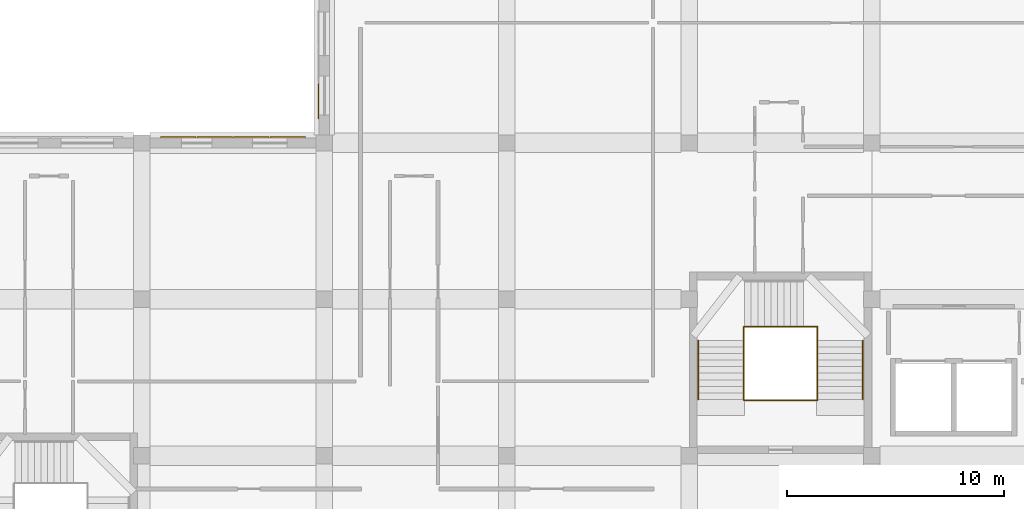
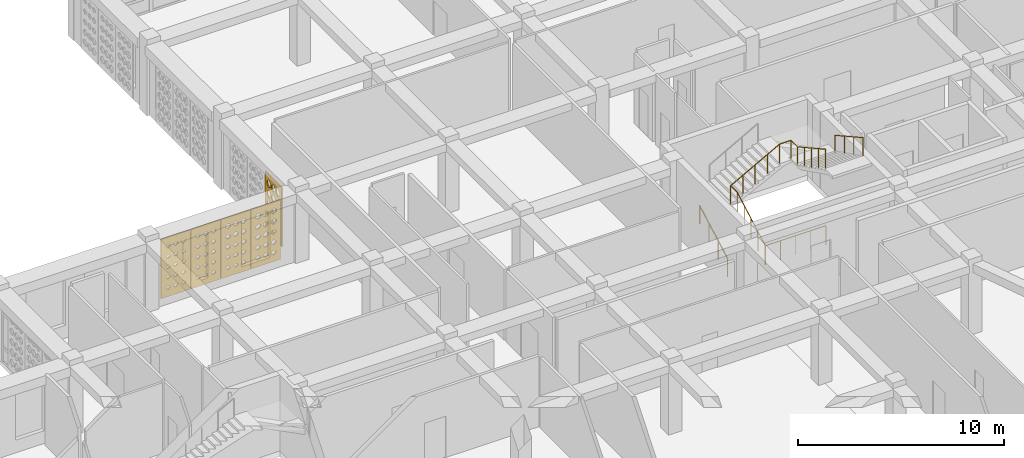
# One storey, part 97 of 111: 6 railings, 5 coverings.
"""IFC4 building model written with IfcOpenShell, lengths in metres."""

from ifc_helpers import new_model, si_unit, derived_unit, direction, frame, origin, origin_2d, place, context, subcontext, project, spatial, polyline, circle, outline, extrude, material, layer, layer_set, type_object, element, save


model = new_model("IFC4")

# Units and contexts
model_context = context("Model", 3, precision=1e-05, world=origin(), true_north=direction((0.0, 1.0)))
body_context = subcontext(model_context, "Body", "Model", "MODEL_VIEW")
ifc_project = project(units=[si_unit("LENGTHUNIT", "METRE"), si_unit("AREAUNIT", "SQUARE_METRE"), si_unit("VOLUMEUNIT", "CUBIC_METRE"), si_unit("PLANEANGLEUNIT", "RADIAN"), si_unit("MASSUNIT", "GRAM", prefix="KILO"), derived_unit("THERMALTRANSMITTANCEUNIT", [(si_unit("POWERUNIT", "WATT"), 1), (si_unit("LENGTHUNIT", "METRE"), -2), (si_unit("THERMODYNAMICTEMPERATUREUNIT", "KELVIN"), -1)])], contexts=[model_context])

# Site, building, storey
site_placement = place(None, origin())
site = spatial("IfcSite", under=ifc_project, at=site_placement, CompositionType="ELEMENT")
building_placement = place(site_placement, origin())
building = spatial("IfcBuilding", under=site, at=building_placement, Name="Veybourne Emporium", CompositionType="ELEMENT")
storey_placement = place(building_placement, frame((0.0, 0.0, 9.89990234375)))
storey = spatial("IfcBuildingStorey", under=building, at=storey_placement, Name="L02", CompositionType="ELEMENT", Elevation=9.89990234375)

# Railings
ifc_material_1 = material(Name="Brushed Stainless Steel", Category="steel")
railing_type_1 = type_object("IfcRailingType", Name="Guard_GR-01", PredefinedType="GUARDRAIL", material=ifc_material_1)
railing_1_placement = place(storey_placement, frame((52.909912109375, 74.60009765625, 0.0)))
element("IfcRailing", 1, at=railing_1_placement, inside=storey, type_object=railing_type_1, Name="L02 ST-03 stair guard 1", PredefinedType="GUARDRAIL", context=body_context, shape_type="SweptSolid", body=[
    extrude(circle(Radius=0.02392578125, at=origin_2d()), frame((0.0, 0.0, 1.1259765625), z_axis=(0.0, 0.87415354758, 0.485649642493), x_axis=(-1.0, 0.0, 0.0)), (0.0, 0.0, 1.0), 3.088623046875),
    extrude(circle(Radius=0.02392578125, at=origin_2d()), frame((0.0, 2.699951171875, 2.6259765625), z_axis=(0.0, 1.0, 0.0), x_axis=(-1.0, 0.0, 0.0)), (0.0, 0.0, 1.0), 0.639892578125),
    extrude(circle(Radius=0.02099609375, at=origin_2d()), origin(), (0.0, 0.0, 1.0), 1.101806640625),
    extrude(circle(Radius=0.02099609375, at=origin_2d()), frame((0.0, 0.675048828125, 0.375)), (0.0, 0.0, 1.0), 1.101806640625),
    extrude(circle(Radius=0.02099609375, at=origin_2d()), frame((0.0, 1.35009765625, 0.75)), (0.0, 0.0, 1.0), 1.101806640625),
    extrude(circle(Radius=0.02099609375, at=origin_2d()), frame((0.0, 2.02490234375, 1.125)), (0.0, 0.0, 1.0), 1.101806640625),
    extrude(circle(Radius=0.02099609375, at=origin_2d()), frame((0.0, 2.699951171875, 1.5)), (0.0, 0.0, 1.0), 1.101806640625),
    extrude(circle(Radius=0.02099609375, at=origin_2d()), frame((0.0, 3.33984375, 1.5)), (0.0, 0.0, 1.0), 1.101806640625),
])
railing_2_placement = place(storey_placement, frame((52.909912109375, 77.93994140625, 1.5)))
element("IfcRailing", 2, at=railing_2_placement, inside=storey, type_object=railing_type_1, Name="L02 ST-03 stair guard 2", PredefinedType="GUARDRAIL", context=body_context, shape_type="SweptSolid", body=[
    extrude(circle(Radius=0.02392578125, at=origin_2d()), frame((0.0, 0.0, 1.1259765625), z_axis=(0.87715976088, 0.0, 0.480198660861), x_axis=(0.0, 1.0, 0.0)), (0.0, 0.0, 1.0), 3.123779296875),
    extrude(circle(Radius=0.02392578125, at=origin_2d()), frame((2.739990234375, 0.0, 2.6259765625), z_axis=(1.0, 0.0, 0.0), x_axis=(0.0, 1.0, 0.0)), (0.0, 0.0, 1.0), 0.64013671875),
    extrude(circle(Radius=0.02099609375, at=origin_2d()), origin(), (0.0, 0.0, 1.0), 1.101806640625),
    extrude(circle(Radius=0.02099609375, at=origin_2d()), frame((0.68505859375, 0.0, 0.375)), (0.0, 0.0, 1.0), 1.101806640625),
    extrude(circle(Radius=0.02099609375, at=origin_2d()), frame((1.3701171875, 0.0, 0.75)), (0.0, 0.0, 1.0), 1.101806640625),
    extrude(circle(Radius=0.02099609375, at=origin_2d()), frame((2.054931640625, 0.0, 1.125)), (0.0, 0.0, 1.0), 1.101806640625),
    extrude(circle(Radius=0.02099609375, at=origin_2d()), frame((2.739990234375, 0.0, 1.5)), (0.0, 0.0, 1.0), 1.101806640625),
    extrude(circle(Radius=0.02099609375, at=origin_2d()), frame((3.380126953125, 0.0, 1.5)), (0.0, 0.0, 1.0), 1.101806640625),
])
railing_3_placement = place(storey_placement, frame((56.2900390625, 77.93994140625, 3.0)))
element("IfcRailing", 3, at=railing_3_placement, inside=storey, type_object=railing_type_1, Name="L02 ST-03 stair guard 3", PredefinedType="GUARDRAIL", context=body_context, shape_type="SweptSolid", body=[
    extrude(circle(Radius=0.02392578125, at=origin_2d()), frame((0.0, 0.0, 1.1259765625), z_axis=(0.0, -1.0, 0.0), x_axis=(1.0, 0.0, 0.0)), (0.0, 0.0, 1.0), 0.639892578125),
    extrude(circle(Radius=0.02392578125, at=origin_2d()), frame((0.0, -0.639892578125, 1.1259765625), z_axis=(0.0, -0.87415354758, 0.485649642493), x_axis=(1.0, 0.0, 0.0)), (0.0, 0.0, 1.0), 3.088623046875),
    extrude(circle(Radius=0.02099609375, at=origin_2d()), origin(), (0.0, 0.0, 1.0), 1.101806640625),
    extrude(circle(Radius=0.02099609375, at=origin_2d()), frame((0.0, -0.639892578125, 0.0)), (0.0, 0.0, 1.0), 1.101806640625),
    extrude(circle(Radius=0.02099609375, at=origin_2d()), frame((0.0, -1.31494140625, 0.375)), (0.0, 0.0, 1.0), 1.101806640625),
    extrude(circle(Radius=0.02099609375, at=origin_2d()), frame((0.0, -1.98974609375, 0.75)), (0.0, 0.0, 1.0), 1.101806640625),
    extrude(circle(Radius=0.02099609375, at=origin_2d()), frame((0.0, -2.664794921875, 1.125)), (0.0, 0.0, 1.0), 1.101806640625),
    extrude(circle(Radius=0.02099609375, at=origin_2d()), frame((0.0, -3.33984375, 1.5)), (0.0, 0.0, 1.0), 1.101806640625),
])
railing_4_placement = place(storey_placement, frame((52.909912109375, 74.56005859375, 0.0)))
element("IfcRailing", 4, at=railing_4_placement, inside=storey, type_object=railing_type_1, Name="L02 ST-03 stair guard 4", PredefinedType="GUARDRAIL", context=body_context, shape_type="SweptSolid", body=[
    extrude(circle(Radius=0.02392578125, at=origin_2d()), frame((0.0, 0.0, 1.1259765625), z_axis=(1.0, 0.0, 0.0), x_axis=(0.0, 1.0, 0.0)), (0.0, 0.0, 1.0), 3.380126953125),
    extrude(circle(Radius=0.02099609375, at=origin_2d()), origin(), (0.0, 0.0, 1.0), 1.101806640625),
    extrude(circle(Radius=0.02099609375, at=origin_2d()), frame((0.844970703125, 0.0, 0.0)), (0.0, 0.0, 1.0), 1.101806640625),
    extrude(circle(Radius=0.02099609375, at=origin_2d()), frame((1.68994140625, 0.0, 0.0)), (0.0, 0.0, 1.0), 1.101806640625),
    extrude(circle(Radius=0.02099609375, at=origin_2d()), frame((2.53515625, 0.0, 0.0)), (0.0, 0.0, 1.0), 1.101806640625),
    extrude(circle(Radius=0.02099609375, at=origin_2d()), frame((3.380126953125, 0.0, 0.0)), (0.0, 0.0, 1.0), 1.101806640625),
])
railing_type_2 = type_object("IfcRailingType", Name="Handrail_HR-01", PredefinedType="HANDRAIL", material=ifc_material_1)
railing_5_placement = place(storey_placement, frame((50.81005859375, 74.60009765625, 0.150146484375)))
element("IfcRailing", 5, at=railing_5_placement, inside=storey, type_object=railing_type_2, Name="L02 ST-03 pitch handrail 1", PredefinedType="HANDRAIL", context=body_context, shape_type="SweptSolid", body=[
    extrude(circle(Radius=0.02392578125, at=origin_2d()), frame((0.0, 0.0, 0.92578125), z_axis=(0.0, 0.87415354758, 0.485649642493), x_axis=(-1.0, 0.0, 0.0)), (0.0, 0.0, 1.0), 3.088623046875),
    extrude(circle(Radius=0.02099609375, at=origin_2d()), frame((0.0, 0.0, -0.14990234375)), (0.0, 0.0, 1.0), 1.0517578125),
    extrude(circle(Radius=0.02099609375, at=origin_2d()), frame((0.0, 0.89990234375, 0.35009765625)), (0.0, 0.0, 1.0), 1.0517578125),
    extrude(circle(Radius=0.02099609375, at=origin_2d()), frame((0.0, 1.800048828125, 0.85009765625)), (0.0, 0.0, 1.0), 1.0517578125),
    extrude(circle(Radius=0.02099609375, at=origin_2d()), frame((0.0, 2.699951171875, 1.35009765625)), (0.0, 0.0, 1.0), 1.0517578125),
])
railing_6_placement = place(storey_placement, frame((58.389892578125, 77.300048828125, 3.150146484375)))
element("IfcRailing", 6, at=railing_6_placement, inside=storey, type_object=railing_type_2, Name="L02 ST-03 pitch handrail 3", PredefinedType="HANDRAIL", context=body_context, shape_type="SweptSolid", body=[
    extrude(circle(Radius=0.02392578125, at=origin_2d()), frame((0.0, 0.0, 0.92578125), z_axis=(0.0, -0.87415354758, 0.485649642493), x_axis=(1.0, 0.0, 0.0)), (0.0, 0.0, 1.0), 3.088623046875),
    extrude(circle(Radius=0.02099609375, at=origin_2d()), frame((0.0, 0.0, -0.14990234375)), (0.0, 0.0, 1.0), 1.0517578125),
    extrude(circle(Radius=0.02099609375, at=origin_2d()), frame((0.0, -0.89990234375, 0.35009765625)), (0.0, 0.0, 1.0), 1.0517578125),
    extrude(circle(Radius=0.02099609375, at=origin_2d()), frame((0.0, -1.800048828125, 0.85009765625)), (0.0, 0.0, 1.0), 1.0517578125),
    extrude(circle(Radius=0.02099609375, at=origin_2d()), frame((0.0, -2.699951171875, 1.35009765625)), (0.0, 0.0, 1.0), 1.0517578125),
])

# Coverings
ifc_material_2 = material(Name="Warm-White Perforated Aluminium Screen Alloy", Category="aluminium")
ifc_layer_1 = layer(ifc_material_2, 0.06005859375)
ifc_layer_set_1 = layer_set([ifc_layer_1], Name="Warm-White Perforated Aluminium Screen Alloy")
covering_type_1 = type_object("IfcCoveringType", Name="WaveScreen_SCR-01", PredefinedType="CLADDING", material=ifc_layer_set_1)
covering_1_placement = place(storey_placement, frame((28.56005859375, 86.697998046875, 1.815185546875), z_axis=(0.0, -1.0, 0.0), x_axis=(1.0, 0.0, 0.0)))
element("IfcCovering", 7, at=covering_1_placement, inside=storey, type_object=covering_type_1, Name="L02 wave-perforated aluminium screen SCR-01 (20.2)", PredefinedType="CLADDING", context=body_context, shape_type="SweptSolid", body=[
    extrude(outline(polyline([(-0.81982421875, -1.7548828125), (0.81982421875, -1.7548828125), (0.81982421875, 1.7548828125), (-0.81982421875, 1.7548828125), (-0.81982421875, -1.7548828125)]), holes=[polyline([(-0.433349609375, -1.117919921875), (-0.333251953125, -1.1884765625), (-0.333251953125, -1.267578125), (-0.433349609375, -1.338134765625), (-0.533447265625, -1.267578125), (-0.533447265625, -1.1884765625), (-0.433349609375, -1.117919921875)]), polyline([(-0.433349609375, -0.502197265625), (-0.331787109375, -0.57373046875), (-0.331787109375, -0.654296875), (-0.433349609375, -0.725830078125), (-0.534912109375, -0.654296875), (-0.534912109375, -0.57373046875), (-0.433349609375, -0.502197265625)]), polyline([(-0.433349609375, 0.115966796875), (-0.32861328125, 0.041748046875), (-0.32861328125, -0.041748046875), (-0.433349609375, -0.115966796875), (-0.5380859375, -0.041748046875), (-0.5380859375, 0.041748046875), (-0.433349609375, 0.115966796875)]), polyline([(-0.433349609375, 0.736328125), (-0.3232421875, 0.657958984375), (-0.3232421875, 0.570068359375), (-0.433349609375, 0.49169921875), (-0.54345703125, 0.570068359375), (-0.54345703125, 0.657958984375), (-0.433349609375, 0.736328125)]), polyline([(-0.433349609375, 1.35888671875), (-0.31640625, 1.275146484375), (-0.31640625, 1.180908203125), (-0.433349609375, 1.09716796875), (-0.55029296875, 1.180908203125), (-0.55029296875, 1.275146484375), (-0.433349609375, 1.35888671875)]), polyline([(0.0, -1.117431640625), (0.100341796875, -1.188232421875), (0.100341796875, -1.267822265625), (0.0, -1.33837890625), (-0.100341796875, -1.267822265625), (-0.100341796875, -1.188232421875), (0.0, -1.117431640625)]), polyline([(0.0, -0.50048828125), (0.102783203125, -0.5732421875), (0.102783203125, -0.65478515625), (0.0, -0.727294921875), (-0.102783203125, -0.65478515625), (-0.102783203125, -0.5732421875), (0.0, -0.50048828125)]), polyline([(0.0, 0.118408203125), (0.10693359375, 0.042724609375), (0.10693359375, -0.042724609375), (0.0, -0.118408203125), (-0.10693359375, -0.042724609375), (-0.10693359375, 0.042724609375), (0.0, 0.118408203125)]), polyline([(0.0, 0.739990234375), (0.113037109375, 0.6591796875), (0.113037109375, 0.568603515625), (0.0, 0.488037109375), (-0.113037109375, 0.568603515625), (-0.113037109375, 0.6591796875), (0.0, 0.739990234375)]), polyline([(0.0, 1.36328125), (0.12060546875, 1.276611328125), (0.12060546875, 1.17919921875), (0.0, 1.0927734375), (-0.12060546875, 1.17919921875), (-0.12060546875, 1.276611328125), (0.0, 1.36328125)]), polyline([(0.433349609375, -1.116455078125), (0.53466796875, -1.187744140625), (0.53466796875, -1.268310546875), (0.433349609375, -1.339599609375), (0.33203125, -1.268310546875), (0.33203125, -1.187744140625), (0.433349609375, -1.116455078125)]), polyline([(0.433349609375, -0.49853515625), (0.537841796875, -0.572509765625), (0.537841796875, -0.655517578125), (0.433349609375, -0.7294921875), (0.328857421875, -0.655517578125), (0.328857421875, -0.572509765625), (0.433349609375, -0.49853515625)]), polyline([(0.433349609375, 0.12158203125), (0.542724609375, 0.043701171875), (0.542724609375, -0.043701171875), (0.433349609375, -0.12158203125), (0.32373046875, -0.043701171875), (0.32373046875, 0.043701171875), (0.433349609375, 0.12158203125)]), polyline([(0.433349609375, 0.743896484375), (0.549560546875, 0.660888671875), (0.549560546875, 0.567138671875), (0.433349609375, 0.484130859375), (0.317138671875, 0.567138671875), (0.317138671875, 0.660888671875), (0.433349609375, 0.743896484375)]), polyline([(0.433349609375, 1.367919921875), (0.557861328125, 1.2783203125), (0.557861328125, 1.177490234375), (0.433349609375, 1.087890625), (0.308837890625, 1.177490234375), (0.308837890625, 1.2783203125), (0.433349609375, 1.367919921875)])]), origin(), (0.0, 0.0, 1.0), 0.06005859375),
])
ifc_layer_2 = layer(ifc_material_2, 0.06005859375)
ifc_layer_set_2 = layer_set([ifc_layer_2], Name="Warm-White Perforated Aluminium Screen Alloy")
covering_type_2 = type_object("IfcCoveringType", Name="WaveScreen_SCR-02", PredefinedType="CLADDING", material=ifc_layer_set_2)
covering_2_placement = place(storey_placement, frame((30.239990234375, 86.697998046875, 1.815185546875), z_axis=(0.0, -1.0, 0.0), x_axis=(1.0, 0.0, 0.0)))
element("IfcCovering", 8, at=covering_2_placement, inside=storey, type_object=covering_type_2, Name="L02 wave-perforated aluminium screen SCR-02 (20.3)", PredefinedType="CLADDING", context=body_context, shape_type="SweptSolid", body=[
    extrude(outline(polyline([(-0.81982421875, -1.7548828125), (0.81982421875, -1.7548828125), (0.81982421875, 1.7548828125), (-0.81982421875, 1.7548828125), (-0.81982421875, -1.7548828125)]), holes=[polyline([(-0.433349609375, -1.11328125), (-0.32958984375, -1.186767578125), (-0.32958984375, -1.269287109375), (-0.433349609375, -1.3427734375), (-0.537109375, -1.269287109375), (-0.537109375, -1.186767578125), (-0.433349609375, -1.11328125)]), polyline([(-0.433349609375, -0.493408203125), (-0.32470703125, -0.570556640625), (-0.32470703125, -0.657470703125), (-0.433349609375, -0.734619140625), (-0.5419921875, -0.657470703125), (-0.5419921875, -0.570556640625), (-0.433349609375, -0.493408203125)]), polyline([(-0.433349609375, 0.12841796875), (-0.318115234375, 0.04638671875), (-0.318115234375, -0.04638671875), (-0.433349609375, -0.12841796875), (-0.548583984375, -0.04638671875), (-0.548583984375, 0.04638671875), (-0.433349609375, 0.12841796875)]), polyline([(-0.433349609375, 0.75244140625), (-0.31005859375, 0.663818359375), (-0.31005859375, 0.564208984375), (-0.433349609375, 0.4755859375), (-0.556640625, 0.564208984375), (-0.556640625, 0.663818359375), (-0.433349609375, 0.75244140625)]), polyline([(-0.433349609375, 1.3779296875), (-0.30078125, 1.281982421875), (-0.30078125, 1.174072265625), (-0.433349609375, 1.078125), (-0.56591796875, 1.174072265625), (-0.56591796875, 1.281982421875), (-0.433349609375, 1.3779296875)]), polyline([(0.0, -1.11083984375), (0.105712890625, -1.185791015625), (0.105712890625, -1.270263671875), (0.0, -1.34521484375), (-0.105712890625, -1.270263671875), (-0.105712890625, -1.185791015625), (0.0, -1.11083984375)]), polyline([(0.0, -0.489990234375), (0.111328125, -0.5693359375), (0.111328125, -0.65869140625), (0.0, -0.73779296875), (-0.111328125, -0.65869140625), (-0.111328125, -0.5693359375), (0.0, -0.489990234375)]), polyline([(0.0, 0.1328125), (0.11865234375, 0.0478515625), (0.11865234375, -0.0478515625), (0.0, -0.1328125), (-0.11865234375, -0.0478515625), (-0.11865234375, 0.0478515625), (0.0, 0.1328125)]), polyline([(0.0, 0.75732421875), (0.127197265625, 0.66552734375), (0.127197265625, 0.5625), (0.0, 0.470703125), (-0.127197265625, 0.5625), (-0.127197265625, 0.66552734375), (0.0, 0.75732421875)]), polyline([(0.0, 1.383544921875), (0.13720703125, 1.283935546875), (0.13720703125, 1.172119140625), (0.0, 1.072509765625), (-0.13720703125, 1.172119140625), (-0.13720703125, 1.283935546875), (0.0, 1.383544921875)]), polyline([(0.433349609375, -1.108154296875), (0.54150390625, -1.184814453125), (0.54150390625, -1.271240234375), (0.433349609375, -1.347900390625), (0.3251953125, -1.271240234375), (0.3251953125, -1.184814453125), (0.433349609375, -1.108154296875)]), polyline([(0.433349609375, -0.486328125), (0.5478515625, -0.568115234375), (0.5478515625, -0.659912109375), (0.433349609375, -0.74169921875), (0.31884765625, -0.659912109375), (0.31884765625, -0.568115234375), (0.433349609375, -0.486328125)]), polyline([(0.433349609375, 0.137451171875), (0.555908203125, 0.049560546875), (0.555908203125, -0.049560546875), (0.433349609375, -0.137451171875), (0.310791015625, -0.049560546875), (0.310791015625, 0.049560546875), (0.433349609375, 0.137451171875)]), polyline([(0.433349609375, 0.7626953125), (0.56494140625, 0.66748046875), (0.56494140625, 0.560546875), (0.433349609375, 0.46533203125), (0.301513671875, 0.560546875), (0.301513671875, 0.66748046875), (0.433349609375, 0.7626953125)]), polyline([(0.433349609375, 1.389404296875), (0.5751953125, 1.2861328125), (0.5751953125, 1.169921875), (0.433349609375, 1.066650390625), (0.291259765625, 1.169921875), (0.291259765625, 1.2861328125), (0.433349609375, 1.389404296875)])]), origin(), (0.0, 0.0, 1.0), 0.06005859375),
])
covering_3_placement = place(storey_placement, frame((33.302001953125, 88.320068359375, 1.815185546875), z_axis=(1.0, 0.0, 0.0), x_axis=(0.0, 1.0, 0.0)))
element("IfcCovering", 9, at=covering_3_placement, inside=storey, type_object=covering_type_2, Name="L02 wave-perforated aluminium screen SCR-02 (22.1)", PredefinedType="CLADDING", context=body_context, shape_type="SweptSolid", body=[
    extrude(outline(polyline([(-0.81982421875, -1.7548828125), (0.81982421875, -1.7548828125), (0.81982421875, 1.7548828125), (-0.81982421875, 1.7548828125), (-0.81982421875, -1.7548828125)]), holes=[polyline([(-0.433349609375, -1.06591796875), (-0.290771484375, -1.169677734375), (-0.290771484375, -1.286376953125), (-0.433349609375, -1.39013671875), (-0.575927734375, -1.286376953125), (-0.575927734375, -1.169677734375), (-0.433349609375, -1.06591796875)]), polyline([(-0.433349609375, -0.438232421875), (-0.279541015625, -0.55078125), (-0.279541015625, -0.67724609375), (-0.433349609375, -0.789794921875), (-0.587158203125, -0.67724609375), (-0.587158203125, -0.55078125), (-0.433349609375, -0.438232421875)]), polyline([(-0.433349609375, 0.189697265625), (-0.26806640625, 0.068359375), (-0.26806640625, -0.068359375), (-0.433349609375, -0.189697265625), (-0.5986328125, -0.068359375), (-0.5986328125, 0.068359375), (-0.433349609375, 0.189697265625)]), polyline([(-0.433349609375, 0.81787109375), (-0.256591796875, 0.6875), (-0.256591796875, 0.54052734375), (-0.433349609375, 0.41015625), (-0.610107421875, 0.54052734375), (-0.610107421875, 0.6875), (-0.433349609375, 0.81787109375)]), polyline([(-0.433349609375, 1.44580078125), (-0.2470703125, 1.306396484375), (-0.2470703125, 1.149658203125), (-0.433349609375, 1.01025390625), (-0.61962890625, 1.149658203125), (-0.61962890625, 1.306396484375), (-0.433349609375, 1.44580078125)]), polyline([(0.0, -1.059814453125), (0.147705078125, -1.16748046875), (0.147705078125, -1.28857421875), (0.0, -1.396240234375), (-0.147705078125, -1.28857421875), (-0.147705078125, -1.16748046875), (0.0, -1.059814453125)]), polyline([(0.0, -0.431884765625), (0.158935546875, -0.548583984375), (0.158935546875, -0.679443359375), (0.0, -0.7958984375), (-0.158935546875, -0.679443359375), (-0.158935546875, -0.548583984375), (0.0, -0.431884765625)]), polyline([(0.0, 0.1962890625), (0.17041015625, 0.070556640625), (0.17041015625, -0.070556640625), (0.0, -0.1962890625), (-0.17041015625, -0.070556640625), (-0.17041015625, 0.070556640625), (0.0, 0.1962890625)]), polyline([(0.0, 0.82421875), (0.181884765625, 0.689697265625), (0.181884765625, 0.538330078125), (0.0, 0.40380859375), (-0.181884765625, 0.538330078125), (-0.181884765625, 0.689697265625), (0.0, 0.82421875)]), polyline([(0.0, 1.451904296875), (0.186279296875, 1.30859375), (0.186279296875, 1.1474609375), (0.0, 1.004150390625), (-0.186279296875, 1.1474609375), (-0.186279296875, 1.30859375), (0.0, 1.451904296875)]), polyline([(0.433349609375, -1.0537109375), (0.5859375, -1.165283203125), (0.5859375, -1.290771484375), (0.433349609375, -1.40234375), (0.280517578125, -1.290771484375), (0.280517578125, -1.165283203125), (0.433349609375, -1.0537109375)]), polyline([(0.433349609375, -0.425537109375), (0.597412109375, -0.546142578125), (0.597412109375, -0.681884765625), (0.433349609375, -0.802490234375), (0.26904296875, -0.681884765625), (0.26904296875, -0.546142578125), (0.433349609375, -0.425537109375)]), polyline([(0.433349609375, 0.20263671875), (0.609130859375, 0.072998046875), (0.609130859375, -0.072998046875), (0.433349609375, -0.20263671875), (0.257568359375, -0.072998046875), (0.257568359375, 0.072998046875), (0.433349609375, 0.20263671875)]), polyline([(0.433349609375, 0.83056640625), (0.61962890625, 0.69189453125), (0.61962890625, 0.5361328125), (0.433349609375, 0.3974609375), (0.2470703125, 0.5361328125), (0.2470703125, 0.69189453125), (0.433349609375, 0.83056640625)]), polyline([(0.433349609375, 1.45751953125), (0.61962890625, 1.310791015625), (0.61962890625, 1.145263671875), (0.433349609375, 0.998291015625), (0.2470703125, 1.145263671875), (0.2470703125, 1.310791015625), (0.433349609375, 1.45751953125)])]), origin(), (0.0, 0.0, 1.0), 0.06005859375),
])
ifc_layer_3 = layer(ifc_material_2, 0.06005859375)
ifc_layer_set_3 = layer_set([ifc_layer_3], Name="Warm-White Perforated Aluminium Screen Alloy")
covering_type_3 = type_object("IfcCoveringType", Name="WaveScreen_SCR-03", PredefinedType="CLADDING", material=ifc_layer_set_3)
covering_4_placement = place(storey_placement, frame((31.919921875, 86.697998046875, 1.815185546875), z_axis=(0.0, -1.0, 0.0), x_axis=(1.0, 0.0, 0.0)))
element("IfcCovering", 10, at=covering_4_placement, inside=storey, type_object=covering_type_3, Name="L02 wave-perforated aluminium screen SCR-03 (20.4)", PredefinedType="CLADDING", context=body_context, shape_type="SweptSolid", body=[
    extrude(outline(polyline([(-0.81982421875, -1.7548828125), (0.81982421875, -1.7548828125), (0.81982421875, 1.7548828125), (-0.81982421875, 1.7548828125), (-0.81982421875, -1.7548828125)]), holes=[polyline([(-0.433349609375, -1.1015625), (-0.31982421875, -1.1826171875), (-0.31982421875, -1.2734375), (-0.433349609375, -1.3544921875), (-0.546875, -1.2734375), (-0.546875, -1.1826171875), (-0.433349609375, -1.1015625)]), polyline([(-0.433349609375, -0.47802734375), (-0.312255859375, -0.565185546875), (-0.312255859375, -0.662841796875), (-0.433349609375, -0.75), (-0.554443359375, -0.662841796875), (-0.554443359375, -0.565185546875), (-0.433349609375, -0.47802734375)]), polyline([(-0.433349609375, 0.14697265625), (-0.302978515625, 0.052978515625), (-0.302978515625, -0.052978515625), (-0.433349609375, -0.14697265625), (-0.563720703125, -0.052978515625), (-0.563720703125, 0.052978515625), (-0.433349609375, 0.14697265625)]), polyline([(-0.433349609375, 0.7734375), (-0.29296875, 0.67138671875), (-0.29296875, 0.556640625), (-0.433349609375, 0.45458984375), (-0.57373046875, 0.556640625), (-0.57373046875, 0.67138671875), (-0.433349609375, 0.7734375)]), polyline([(-0.433349609375, 1.40087890625), (-0.281982421875, 1.290283203125), (-0.281982421875, 1.165771484375), (-0.433349609375, 1.05517578125), (-0.584716796875, 1.165771484375), (-0.584716796875, 1.290283203125), (-0.433349609375, 1.40087890625)]), polyline([(0.0, -1.097412109375), (0.11669921875, -1.180908203125), (0.11669921875, -1.27490234375), (0.0, -1.3583984375), (-0.11669921875, -1.27490234375), (-0.11669921875, -1.180908203125), (0.0, -1.097412109375)]), polyline([(0.0, -0.473388671875), (0.125, -0.563232421875), (0.125, -0.664794921875), (0.0, -0.754638671875), (-0.125, -0.664794921875), (-0.125, -0.563232421875), (0.0, -0.473388671875)]), polyline([(0.0, 0.152587890625), (0.134765625, 0.054931640625), (0.134765625, -0.054931640625), (0.0, -0.152587890625), (-0.134765625, -0.054931640625), (-0.134765625, 0.054931640625), (0.0, 0.152587890625)]), polyline([(0.0, 0.779296875), (0.145263671875, 0.673583984375), (0.145263671875, 0.554443359375), (0.0, 0.448486328125), (-0.145263671875, 0.554443359375), (-0.145263671875, 0.673583984375), (0.0, 0.779296875)]), polyline([(0.0, 1.406982421875), (0.156494140625, 1.29248046875), (0.156494140625, 1.16357421875), (0.0, 1.048828125), (-0.156494140625, 1.16357421875), (-0.156494140625, 1.29248046875), (0.0, 1.406982421875)]), polyline([(0.433349609375, -1.093017578125), (0.5537109375, -1.179443359375), (0.5537109375, -1.276611328125), (0.433349609375, -1.36279296875), (0.31298828125, -1.276611328125), (0.31298828125, -1.179443359375), (0.433349609375, -1.093017578125)]), polyline([(0.433349609375, -0.468017578125), (0.562744140625, -0.5615234375), (0.562744140625, -0.66650390625), (0.433349609375, -0.760009765625), (0.303955078125, -0.66650390625), (0.303955078125, -0.5615234375), (0.433349609375, -0.468017578125)]), polyline([(0.433349609375, 0.158203125), (0.57275390625, 0.056884765625), (0.57275390625, -0.056884765625), (0.433349609375, -0.158203125), (0.2939453125, -0.056884765625), (0.2939453125, 0.056884765625), (0.433349609375, 0.158203125)]), polyline([(0.433349609375, 0.785400390625), (0.583740234375, 0.67578125), (0.583740234375, 0.55224609375), (0.433349609375, 0.4423828125), (0.282958984375, 0.55224609375), (0.282958984375, 0.67578125), (0.433349609375, 0.785400390625)]), polyline([(0.433349609375, 1.41357421875), (0.59521484375, 1.294921875), (0.59521484375, 1.1611328125), (0.433349609375, 1.04248046875), (0.271484375, 1.1611328125), (0.271484375, 1.294921875), (0.433349609375, 1.41357421875)])]), origin(), (0.0, 0.0, 1.0), 0.06005859375),
])
ifc_layer_4 = layer(ifc_material_2, 0.06005859375)
ifc_layer_set_4 = layer_set([ifc_layer_4], Name="Warm-White Perforated Aluminium Screen Alloy")
covering_type_4 = type_object("IfcCoveringType", Name="WaveScreen_SCR-04", PredefinedType="CLADDING", material=ifc_layer_set_4)
covering_5_placement = place(storey_placement, frame((26.8798828125, 86.697998046875, 1.815185546875), z_axis=(0.0, -1.0, 0.0), x_axis=(1.0, 0.0, 0.0)))
element("IfcCovering", 11, at=covering_5_placement, inside=storey, type_object=covering_type_4, Name="L02 wave-perforated aluminium screen SCR-04 (20.1)", PredefinedType="CLADDING", context=body_context, shape_type="SweptSolid", body=[
    extrude(outline(polyline([(-0.81982421875, -1.7548828125), (0.81982421875, -1.7548828125), (0.81982421875, 1.7548828125), (-0.81982421875, 1.7548828125), (-0.81982421875, -1.7548828125)]), holes=[polyline([(-0.433349609375, -1.114990234375), (-0.3310546875, -1.1875), (-0.3310546875, -1.2685546875), (-0.433349609375, -1.3408203125), (-0.53564453125, -1.2685546875), (-0.53564453125, -1.1875), (-0.433349609375, -1.114990234375)]), polyline([(-0.433349609375, -0.503662109375), (-0.3330078125, -0.57421875), (-0.3330078125, -0.65380859375), (-0.433349609375, -0.724365234375), (-0.53369140625, -0.65380859375), (-0.53369140625, -0.57421875), (-0.433349609375, -0.503662109375)]), polyline([(-0.433349609375, 0.1103515625), (-0.3330078125, 0.039794921875), (-0.3330078125, -0.039794921875), (-0.433349609375, -0.1103515625), (-0.533447265625, -0.039794921875), (-0.533447265625, 0.039794921875), (-0.433349609375, 0.1103515625)]), polyline([(-0.433349609375, 0.7265625), (-0.331298828125, 0.654541015625), (-0.331298828125, 0.573486328125), (-0.433349609375, 0.50146484375), (-0.535400390625, 0.573486328125), (-0.535400390625, 0.654541015625), (-0.433349609375, 0.7265625)]), polyline([(-0.433349609375, 1.34521484375), (-0.327392578125, 1.270263671875), (-0.327392578125, 1.185791015625), (-0.433349609375, 1.110595703125), (-0.539306640625, 1.185791015625), (-0.539306640625, 1.270263671875), (-0.433349609375, 1.34521484375)]), polyline([(0.0, -1.11669921875), (0.101318359375, -1.18798828125), (0.101318359375, -1.26806640625), (0.0, -1.33935546875), (-0.101318359375, -1.26806640625), (-0.101318359375, -1.18798828125), (0.0, -1.11669921875)]), polyline([(0.0, -0.50390625), (0.10009765625, -0.574462890625), (0.10009765625, -0.653564453125), (0.0, -0.72412109375), (-0.10009765625, -0.653564453125), (-0.10009765625, -0.574462890625), (0.0, -0.50390625)]), polyline([(0.0, 0.111083984375), (0.100830078125, 0.0400390625), (0.100830078125, -0.0400390625), (0.0, -0.111083984375), (-0.100830078125, -0.0400390625), (-0.100830078125, 0.0400390625), (0.0, 0.111083984375)]), polyline([(0.0, 0.728515625), (0.103515625, 0.6552734375), (0.103515625, 0.57275390625), (0.0, 0.49951171875), (-0.103515625, 0.57275390625), (-0.103515625, 0.6552734375), (0.0, 0.728515625)]), polyline([(0.0, 1.34814453125), (0.1083984375, 1.271240234375), (0.1083984375, 1.184814453125), (0.0, 1.10791015625), (-0.1083984375, 1.184814453125), (-0.1083984375, 1.271240234375), (0.0, 1.34814453125)]), polyline([(0.433349609375, -1.117431640625), (0.53369140625, -1.188232421875), (0.53369140625, -1.267822265625), (0.433349609375, -1.33837890625), (0.3330078125, -1.267822265625), (0.3330078125, -1.188232421875), (0.433349609375, -1.117431640625)]), polyline([(0.433349609375, -0.50390625), (0.533447265625, -0.57421875), (0.533447265625, -0.65380859375), (0.433349609375, -0.72412109375), (0.333251953125, -0.65380859375), (0.333251953125, -0.57421875), (0.433349609375, -0.50390625)]), polyline([(0.433349609375, 0.1123046875), (0.53515625, 0.040283203125), (0.53515625, -0.040283203125), (0.433349609375, -0.1123046875), (0.33154296875, -0.040283203125), (0.33154296875, 0.040283203125), (0.433349609375, 0.1123046875)]), polyline([(0.433349609375, 0.730712890625), (0.538818359375, 0.656005859375), (0.538818359375, 0.572021484375), (0.433349609375, 0.497314453125), (0.327880859375, 0.572021484375), (0.327880859375, 0.656005859375), (0.433349609375, 0.730712890625)]), polyline([(0.433349609375, 1.351318359375), (0.544189453125, 1.2724609375), (0.544189453125, 1.18359375), (0.433349609375, 1.1044921875), (0.322265625, 1.18359375), (0.322265625, 1.2724609375), (0.433349609375, 1.351318359375)])]), origin(), (0.0, 0.0, 1.0), 0.06005859375),
])

save(model, "model.ifc")
